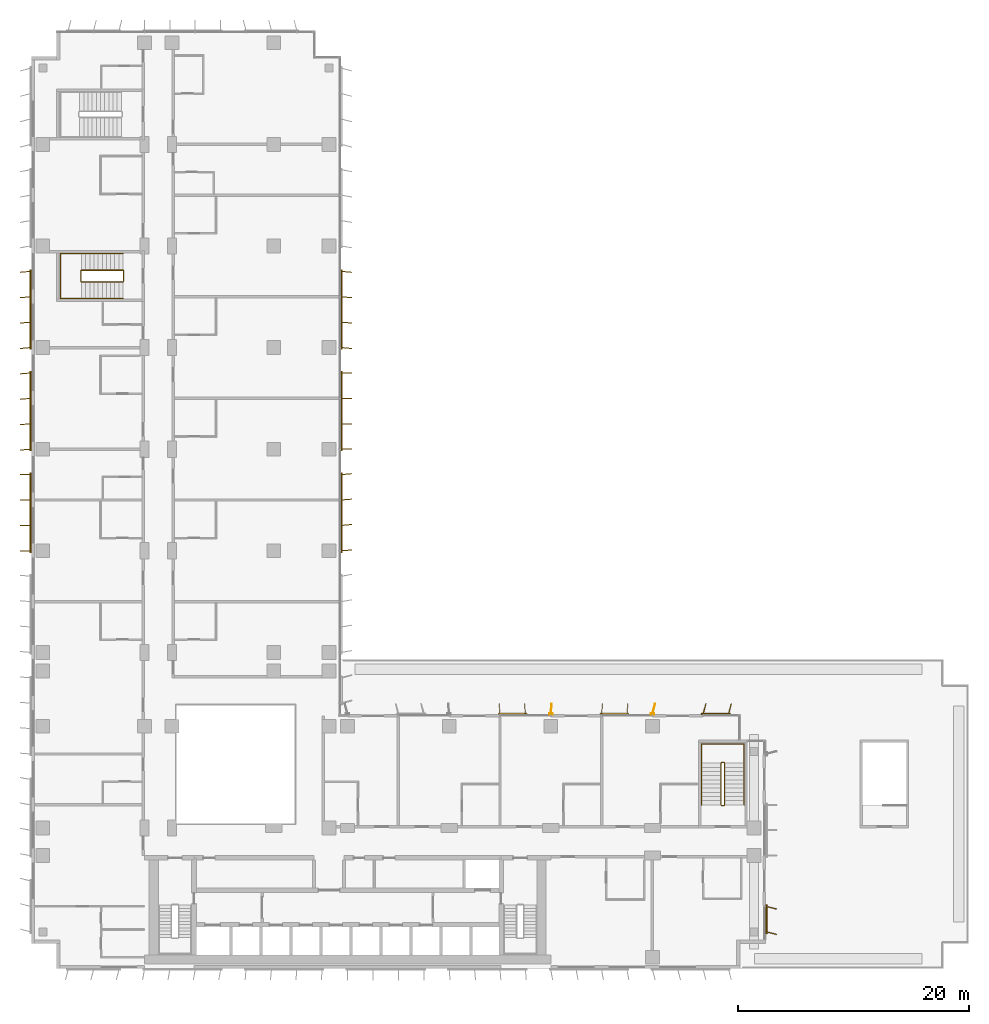
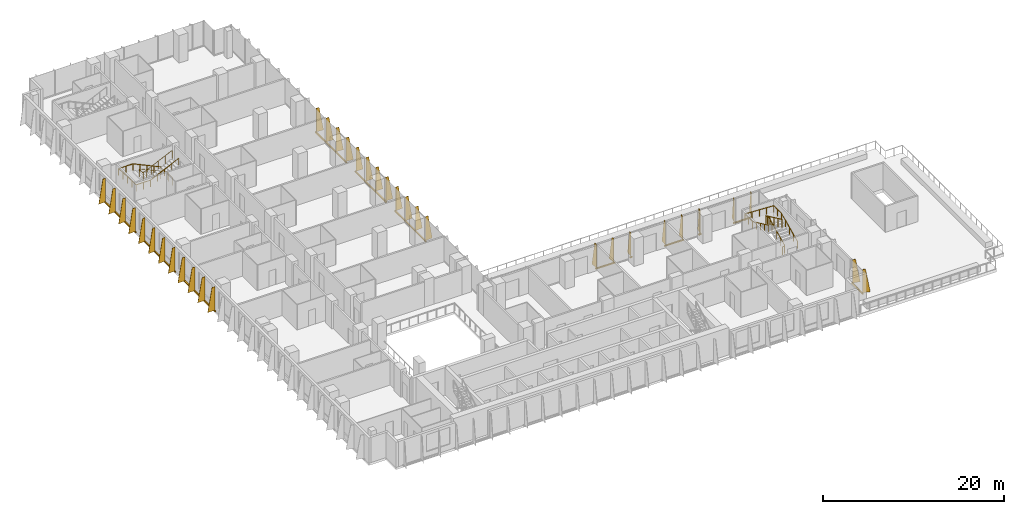
# One storey, part 25 of 27: 12 shading devices, 4 railings.
"""IFC4 building model written with IfcOpenShell, lengths in metres."""

from ifc_helpers import new_model, si_unit, direction, frame, origin, origin_2d, place, context, subcontext, project, spatial, polyline, rectangle, circle, outline, extrude, source, transform, mapped, material, layer, layer_set, type_object, element, save


model = new_model("IFC4")

# Units and contexts
model_context = context("Model", 3, precision=1e-05, world=origin(), true_north=direction((0.0, 1.0)))
body_context = subcontext(model_context, "Body", "Model", "MODEL_VIEW")
ifc_project = project(units=[si_unit("LENGTHUNIT", "METRE"), si_unit("AREAUNIT", "SQUARE_METRE"), si_unit("VOLUMEUNIT", "CUBIC_METRE"), si_unit("PLANEANGLEUNIT", "RADIAN"), si_unit("MASSUNIT", "GRAM", prefix="KILO")], contexts=[model_context])

# Site, building, storey
site_placement = place(None, origin())
site = spatial("IfcSite", under=ifc_project, at=site_placement, CompositionType="ELEMENT")
building_placement = place(site_placement, origin())
building = spatial("IfcBuilding", under=site, at=building_placement, Name="Kemantara Hotel Tower", CompositionType="ELEMENT")
storey_placement = place(building_placement, frame((0.0, 0.0, 83.39990234375)))
storey = spatial("IfcBuildingStorey", under=building, at=storey_placement, Name="L19", CompositionType="ELEMENT", Elevation=83.39990234375)

# Railings
ifc_material_1 = material(Name="Stainless steel balustrade", Category="steel")
railing_type_1 = type_object("IfcRailingType", Name="Stair guard 1100 mm", PredefinedType="GUARDRAIL", material=ifc_material_1)
railing_1_placement = place(storey_placement, frame((59.75, 14.199951171875, 3.7001953125)))
element("IfcRailing", 1, at=railing_1_placement, inside=storey, type_object=railing_type_1, Name="L19 ST3 stair guard 1", PredefinedType="GUARDRAIL", context=body_context, shape_type="SweptSolid", body=[
    extrude(circle(Radius=0.02392578125, at=origin_2d()), frame((0.0, 0.0, 1.076171875), z_axis=(0.0, 0.906005689286, -0.423265508849), x_axis=(-1.0, 0.0, 0.0)), (0.0, 0.0, 1.0), 3.9736328125),
    extrude(circle(Radius=0.02392578125, at=origin_2d()), frame((0.0, 3.60009765625, -0.60595703125), z_axis=(0.274243871929, 0.274243871929, -0.92172696468), x_axis=(-0.707106781187, 0.707106781187, 0.0)), (0.0, 0.0, 1.0), 0.1826171875),
    extrude(circle(Radius=0.02392578125, at=origin_2d()), frame((0.050048828125, 3.650146484375, -0.77392578125), z_axis=(1.0, 0.0, 0.0), x_axis=(0.0, 1.0, 0.0)), (0.0, 0.0, 1.0), 0.199951171875),
    extrude(circle(Radius=0.02392578125, at=origin_2d()), frame((0.25, 3.650146484375, -0.77392578125), z_axis=(0.707106781187, -0.707106781187, 0.0), x_axis=(0.707106781187, 0.707106781187, 0.0)), (0.0, 0.0, 1.0), 0.07080078125),
    extrude(circle(Radius=0.02392578125, at=origin_2d()), frame((0.300048828125, 3.60009765625, -0.77392578125), z_axis=(0.0, -0.906005689286, -0.423265508849), x_axis=(1.0, 0.0, 0.0)), (0.0, 0.0, 1.0), 3.9736328125),
    extrude(circle(Radius=0.02392578125, at=origin_2d()), frame((0.300048828125, 0.0, -2.4560546875), z_axis=(-0.274243871929, -0.274243871929, -0.92172696468), x_axis=(0.707106781187, -0.707106781187, 0.0)), (0.0, 0.0, 1.0), 0.1826171875),
    extrude(circle(Radius=0.02392578125, at=origin_2d()), frame((0.25, -0.050048828125, -2.6240234375), z_axis=(-1.0, 0.0, 0.0), x_axis=(0.0, -1.0, 0.0)), (0.0, 0.0, 1.0), 0.199951171875),
    extrude(circle(Radius=0.02099609375, at=origin_2d()), origin(), (0.0, 0.0, 1.0), 1.052001953125),
    extrude(circle(Radius=0.02099609375, at=origin_2d()), frame((0.0, 0.89990234375, -0.42041015625)), (0.0, 0.0, 1.0), 1.052001953125),
    extrude(circle(Radius=0.02099609375, at=origin_2d()), frame((0.0, 1.800048828125, -0.8408203125)), (0.0, 0.0, 1.0), 1.052001953125),
    extrude(circle(Radius=0.02099609375, at=origin_2d()), frame((0.0, 2.7001953125, -1.261474609375)), (0.0, 0.0, 1.0), 1.052001953125),
    extrude(circle(Radius=0.02099609375, at=origin_2d()), frame((0.0, 3.60009765625, -1.681884765625)), (0.0, 0.0, 1.0), 1.052001953125),
    extrude(circle(Radius=0.02099609375, at=origin_2d()), frame((0.050048828125, 3.650146484375, -1.85009765625)), (0.0, 0.0, 1.0), 1.052001953125),
    extrude(circle(Radius=0.02099609375, at=origin_2d()), frame((0.25, 3.650146484375, -1.85009765625)), (0.0, 0.0, 1.0), 1.052001953125),
    extrude(circle(Radius=0.02099609375, at=origin_2d()), frame((0.300048828125, 3.60009765625, -1.85009765625)), (0.0, 0.0, 1.0), 1.052001953125),
    extrude(circle(Radius=0.02099609375, at=origin_2d()), frame((0.300048828125, 2.7001953125, -2.2705078125)), (0.0, 0.0, 1.0), 1.052001953125),
    extrude(circle(Radius=0.02099609375, at=origin_2d()), frame((0.300048828125, 1.800048828125, -2.69091796875)), (0.0, 0.0, 1.0), 1.052001953125),
    extrude(circle(Radius=0.02099609375, at=origin_2d()), frame((0.300048828125, 0.89990234375, -3.111572265625)), (0.0, 0.0, 1.0), 1.052001953125),
    extrude(circle(Radius=0.02099609375, at=origin_2d()), frame((0.300048828125, 0.0, -3.531982421875)), (0.0, 0.0, 1.0), 1.052001953125),
    extrude(circle(Radius=0.02099609375, at=origin_2d()), frame((0.25, -0.050048828125, -3.7001953125)), (0.0, 0.0, 1.0), 1.052001953125),
    extrude(circle(Radius=0.02099609375, at=origin_2d()), frame((0.050048828125, -0.050048828125, -3.7001953125)), (0.0, 0.0, 1.0), 1.052001953125),
])
railing_2_placement = place(storey_placement, frame((7.949951171875, 59.5, 3.7001953125)))
element("IfcRailing", 2, at=railing_2_placement, inside=storey, type_object=railing_type_1, Name="L19 ST4 stair guard 1", PredefinedType="GUARDRAIL", context=body_context, shape_type="SweptSolid", body=[
    extrude(circle(Radius=0.02392578125, at=origin_2d()), frame((0.0, 0.0, 1.076171875), z_axis=(-0.905994681025, 0.0, -0.423289071386), x_axis=(0.0, -1.0, 0.0)), (0.0, 0.0, 1.0), 3.973388671875),
    extrude(circle(Radius=0.02392578125, at=origin_2d()), frame((-3.599853515625, 0.0, -0.60595703125), z_axis=(-0.274243871929, 0.274243871929, -0.92172696468), x_axis=(-0.707106781187, -0.707106781187, 0.0)), (0.0, 0.0, 1.0), 0.1826171875),
    extrude(circle(Radius=0.02392578125, at=origin_2d()), frame((-3.64990234375, 0.050048828125, -0.77392578125), z_axis=(0.0, 1.0, 0.0), x_axis=(-1.0, 0.0, 0.0)), (0.0, 0.0, 1.0), 0.89990234375),
    extrude(circle(Radius=0.02392578125, at=origin_2d()), frame((-3.64990234375, 0.949951171875, -0.77392578125), z_axis=(0.707106781187, 0.707106781187, 0.0), x_axis=(-0.707106781187, 0.707106781187, 0.0)), (0.0, 0.0, 1.0), 0.07080078125),
    extrude(circle(Radius=0.02392578125, at=origin_2d()), frame((-3.599853515625, 1.0, -0.77392578125), z_axis=(0.905994681025, 0.0, -0.423289071386), x_axis=(0.0, 1.0, 0.0)), (0.0, 0.0, 1.0), 3.973388671875),
    extrude(circle(Radius=0.02392578125, at=origin_2d()), frame((0.0, 1.0, -2.4560546875), z_axis=(0.274243871929, -0.274243871929, -0.92172696468), x_axis=(0.707106781187, 0.707106781187, 0.0)), (0.0, 0.0, 1.0), 0.1826171875),
    extrude(circle(Radius=0.02392578125, at=origin_2d()), frame((0.050048828125, 0.949951171875, -2.6240234375), z_axis=(0.0, -1.0, 0.0), x_axis=(1.0, 0.0, 0.0)), (0.0, 0.0, 1.0), 0.89990234375),
    extrude(circle(Radius=0.02099609375, at=origin_2d()), origin(), (0.0, 0.0, 1.0), 1.052001953125),
    extrude(circle(Radius=0.02099609375, at=origin_2d()), frame((-0.89990234375, 0.0, -0.42041015625)), (0.0, 0.0, 1.0), 1.052001953125),
    extrude(circle(Radius=0.02099609375, at=origin_2d()), frame((-1.7998046875, 0.0, -0.8408203125)), (0.0, 0.0, 1.0), 1.052001953125),
    extrude(circle(Radius=0.02099609375, at=origin_2d()), frame((-2.699951171875, 0.0, -1.261474609375)), (0.0, 0.0, 1.0), 1.052001953125),
    extrude(circle(Radius=0.02099609375, at=origin_2d()), frame((-3.599853515625, 0.0, -1.681884765625)), (0.0, 0.0, 1.0), 1.052001953125),
    extrude(circle(Radius=0.02099609375, at=origin_2d()), frame((-3.64990234375, 0.050048828125, -1.85009765625)), (0.0, 0.0, 1.0), 1.052001953125),
    extrude(circle(Radius=0.02099609375, at=origin_2d()), frame((-3.64990234375, 0.949951171875, -1.85009765625)), (0.0, 0.0, 1.0), 1.052001953125),
    extrude(circle(Radius=0.02099609375, at=origin_2d()), frame((-3.599853515625, 1.0, -1.85009765625)), (0.0, 0.0, 1.0), 1.052001953125),
    extrude(circle(Radius=0.02099609375, at=origin_2d()), frame((-2.699951171875, 1.0, -2.2705078125)), (0.0, 0.0, 1.0), 1.052001953125),
    extrude(circle(Radius=0.02099609375, at=origin_2d()), frame((-1.7998046875, 1.0, -2.69091796875)), (0.0, 0.0, 1.0), 1.052001953125),
    extrude(circle(Radius=0.02099609375, at=origin_2d()), frame((-0.89990234375, 1.0, -3.111572265625)), (0.0, 0.0, 1.0), 1.052001953125),
    extrude(circle(Radius=0.02099609375, at=origin_2d()), frame((0.0, 1.0, -3.531982421875)), (0.0, 0.0, 1.0), 1.052001953125),
    extrude(circle(Radius=0.02099609375, at=origin_2d()), frame((0.050048828125, 0.949951171875, -3.7001953125)), (0.0, 0.0, 1.0), 1.052001953125),
    extrude(circle(Radius=0.02099609375, at=origin_2d()), frame((0.050048828125, 0.050048828125, -3.7001953125)), (0.0, 0.0, 1.0), 1.052001953125),
])
railing_type_2 = type_object("IfcRailingType", Name="Stair handrail 900 mm", PredefinedType="HANDRAIL", material=ifc_material_1)
railing_3_placement = place(storey_placement, frame((61.75, 14.199951171875, 0.168212890625)))
element("IfcRailing", 3, at=railing_3_placement, inside=storey, type_object=railing_type_2, Name="L19 ST3 stair handrail 1", PredefinedType="HANDRAIL", context=body_context, shape_type="SweptSolid", body=[
    extrude(circle(Radius=0.02392578125, at=origin_2d()), frame((0.0, 0.0, 0.8759765625), z_axis=(0.0, 0.906005689286, 0.423265508849), x_axis=(-1.0, 0.0, 0.0)), (0.0, 0.0, 1.0), 3.9736328125),
    extrude(circle(Radius=0.02392578125, at=origin_2d()), frame((0.0, 3.60009765625, 2.5576171875), z_axis=(0.0, 1.0, 0.0), x_axis=(-1.0, 0.0, 0.0)), (0.0, 0.0, 1.0), 1.679931640625),
    extrude(circle(Radius=0.02392578125, at=origin_2d()), frame((0.0, 5.280029296875, 2.5576171875), z_axis=(-0.998968132438, 0.0, 0.045416631029), x_axis=(0.0, -1.0, 0.0)), (0.0, 0.0, 1.0), 3.703857421875),
    extrude(circle(Radius=0.02392578125, at=origin_2d()), frame((-3.699951171875, 5.280029296875, 2.72607421875), z_axis=(0.0, -1.0, 0.0), x_axis=(1.0, 0.0, 0.0)), (0.0, 0.0, 1.0), 1.679931640625),
    extrude(circle(Radius=0.02392578125, at=origin_2d()), frame((-3.699951171875, 3.60009765625, 2.72607421875), z_axis=(0.0, -0.906005689286, 0.423265508849), x_axis=(1.0, 0.0, 0.0)), (0.0, 0.0, 1.0), 3.9736328125),
    extrude(circle(Radius=0.02099609375, at=origin_2d()), origin(), (0.0, 0.0, 1.0), 0.851806640625),
    extrude(circle(Radius=0.02099609375, at=origin_2d()), frame((0.0, 0.89990234375, 0.42041015625)), (0.0, 0.0, 1.0), 0.851806640625),
    extrude(circle(Radius=0.02099609375, at=origin_2d()), frame((0.0, 1.800048828125, 0.8408203125)), (0.0, 0.0, 1.0), 0.851806640625),
    extrude(circle(Radius=0.02099609375, at=origin_2d()), frame((0.0, 2.7001953125, 1.261474609375)), (0.0, 0.0, 1.0), 0.851806640625),
    extrude(circle(Radius=0.02099609375, at=origin_2d()), frame((0.0, 3.60009765625, 1.681884765625)), (0.0, 0.0, 1.0), 0.851806640625),
    extrude(circle(Radius=0.02099609375, at=origin_2d()), frame((0.0, 4.43994140625, 1.681884765625)), (0.0, 0.0, 1.0), 0.851806640625),
    extrude(circle(Radius=0.02099609375, at=origin_2d()), frame((0.0, 5.280029296875, 1.681884765625)), (0.0, 0.0, 1.0), 0.851806640625),
    extrude(circle(Radius=0.02099609375, at=origin_2d()), frame((-0.925048828125, 5.280029296875, 1.723876953125)), (0.0, 0.0, 1.0), 0.851806640625),
    extrude(circle(Radius=0.02099609375, at=origin_2d()), frame((-1.85009765625, 5.280029296875, 1.76611328125)), (0.0, 0.0, 1.0), 0.851806640625),
    extrude(circle(Radius=0.02099609375, at=origin_2d()), frame((-2.77490234375, 5.280029296875, 1.80810546875)), (0.0, 0.0, 1.0), 0.851806640625),
    extrude(circle(Radius=0.02099609375, at=origin_2d()), frame((-3.699951171875, 5.280029296875, 1.85009765625)), (0.0, 0.0, 1.0), 0.851806640625),
    extrude(circle(Radius=0.02099609375, at=origin_2d()), frame((-3.699951171875, 4.43994140625, 1.85009765625)), (0.0, 0.0, 1.0), 0.851806640625),
    extrude(circle(Radius=0.02099609375, at=origin_2d()), frame((-3.699951171875, 3.60009765625, 1.85009765625)), (0.0, 0.0, 1.0), 0.851806640625),
    extrude(circle(Radius=0.02099609375, at=origin_2d()), frame((-3.699951171875, 2.7001953125, 2.2705078125)), (0.0, 0.0, 1.0), 0.851806640625),
    extrude(circle(Radius=0.02099609375, at=origin_2d()), frame((-3.699951171875, 1.800048828125, 2.69091796875)), (0.0, 0.0, 1.0), 0.851806640625),
    extrude(circle(Radius=0.02099609375, at=origin_2d()), frame((-3.699951171875, 0.89990234375, 3.111572265625)), (0.0, 0.0, 1.0), 0.851806640625),
    extrude(circle(Radius=0.02099609375, at=origin_2d()), frame((-3.699951171875, 0.0, 3.531982421875)), (0.0, 0.0, 1.0), 0.851806640625),
])
railing_4_placement = place(storey_placement, frame((7.949951171875, 61.949951171875, 0.168212890625)))
element("IfcRailing", 4, at=railing_4_placement, inside=storey, type_object=railing_type_2, Name="L19 ST4 stair handrail 1", PredefinedType="HANDRAIL", context=body_context, shape_type="SweptSolid", body=[
    extrude(circle(Radius=0.02392578125, at=origin_2d()), frame((0.0, 0.0, 0.8759765625), z_axis=(-0.905994681025, 0.0, 0.423289071386), x_axis=(0.0, -1.0, 0.0)), (0.0, 0.0, 1.0), 3.973388671875),
    extrude(circle(Radius=0.02392578125, at=origin_2d()), frame((-3.599853515625, 0.0, 2.5576171875), z_axis=(-1.0, 0.0, 0.0), x_axis=(0.0, -1.0, 0.0)), (0.0, 0.0, 1.0), 1.830078125),
    extrude(circle(Radius=0.02392578125, at=origin_2d()), frame((-5.429931640625, 0.0, 2.5576171875), z_axis=(0.0, -0.999071085748, 0.043092523981), x_axis=(1.0, 0.0, 0.0)), (0.0, 0.0, 1.0), 3.903564453125),
    extrude(circle(Radius=0.02392578125, at=origin_2d()), frame((-5.429931640625, -3.89990234375, 2.72607421875), z_axis=(1.0, 0.0, 0.0), x_axis=(0.0, 1.0, 0.0)), (0.0, 0.0, 1.0), 1.830078125),
    extrude(circle(Radius=0.02392578125, at=origin_2d()), frame((-3.599853515625, -3.89990234375, 2.72607421875), z_axis=(0.905994681025, 0.0, 0.423289071386), x_axis=(0.0, 1.0, 0.0)), (0.0, 0.0, 1.0), 3.973388671875),
    extrude(circle(Radius=0.02099609375, at=origin_2d()), origin(), (0.0, 0.0, 1.0), 0.851806640625),
    extrude(circle(Radius=0.02099609375, at=origin_2d()), frame((-0.89990234375, 0.0, 0.42041015625)), (0.0, 0.0, 1.0), 0.851806640625),
    extrude(circle(Radius=0.02099609375, at=origin_2d()), frame((-1.7998046875, 0.0, 0.8408203125)), (0.0, 0.0, 1.0), 0.851806640625),
    extrude(circle(Radius=0.02099609375, at=origin_2d()), frame((-2.699951171875, 0.0, 1.261474609375)), (0.0, 0.0, 1.0), 0.851806640625),
    extrude(circle(Radius=0.02099609375, at=origin_2d()), frame((-3.599853515625, 0.0, 1.681884765625)), (0.0, 0.0, 1.0), 0.851806640625),
    extrude(circle(Radius=0.02099609375, at=origin_2d()), frame((-4.514892578125, 0.0, 1.681884765625)), (0.0, 0.0, 1.0), 0.851806640625),
    extrude(circle(Radius=0.02099609375, at=origin_2d()), frame((-5.429931640625, 0.0, 1.681884765625)), (0.0, 0.0, 1.0), 0.851806640625),
    extrude(circle(Radius=0.02099609375, at=origin_2d()), frame((-5.429931640625, -0.97509765625, 1.723876953125)), (0.0, 0.0, 1.0), 0.851806640625),
    extrude(circle(Radius=0.02099609375, at=origin_2d()), frame((-5.429931640625, -1.949951171875, 1.76611328125)), (0.0, 0.0, 1.0), 0.851806640625),
    extrude(circle(Radius=0.02099609375, at=origin_2d()), frame((-5.429931640625, -2.9248046875, 1.80810546875)), (0.0, 0.0, 1.0), 0.851806640625),
    extrude(circle(Radius=0.02099609375, at=origin_2d()), frame((-5.429931640625, -3.89990234375, 1.85009765625)), (0.0, 0.0, 1.0), 0.851806640625),
    extrude(circle(Radius=0.02099609375, at=origin_2d()), frame((-4.514892578125, -3.89990234375, 1.85009765625)), (0.0, 0.0, 1.0), 0.851806640625),
    extrude(circle(Radius=0.02099609375, at=origin_2d()), frame((-3.599853515625, -3.89990234375, 1.85009765625)), (0.0, 0.0, 1.0), 0.851806640625),
    extrude(circle(Radius=0.02099609375, at=origin_2d()), frame((-2.699951171875, -3.89990234375, 2.2705078125)), (0.0, 0.0, 1.0), 0.851806640625),
    extrude(circle(Radius=0.02099609375, at=origin_2d()), frame((-1.7998046875, -3.89990234375, 2.69091796875)), (0.0, 0.0, 1.0), 0.851806640625),
    extrude(circle(Radius=0.02099609375, at=origin_2d()), frame((-0.89990234375, -3.89990234375, 3.111572265625)), (0.0, 0.0, 1.0), 0.851806640625),
    extrude(circle(Radius=0.02099609375, at=origin_2d()), frame((0.0, -3.89990234375, 3.531982421875)), (0.0, 0.0, 1.0), 0.851806640625),
])

# Shading devices
ifc_material_2 = material(Name="Perforated aluminium plate 4 mm bronze anodised", Category="aluminium")
ifc_layer_1 = layer(ifc_material_2, 0.0400390625)
ifc_layer_set_1 = layer_set([ifc_layer_1], Name="Perforated aluminium plate 4 mm bronze anodised")
shading_device_type_1 = type_object("IfcShadingDeviceType", Name="SCREEN FIN CASSETTE, 4 BLADES AT -5.0 DEG, 3200 HIGH", PredefinedType="USERDEFINED", material=ifc_layer_set_1)
shared_shape_1 = source(origin(), body_context, "Body", "SweptSolid", [
    extrude(rectangle(XDim=6.89990234375, YDim=0.14990234375, at=origin_2d()), frame((3.300048828125, -0.074951171875, -0.14990234375), z_axis=(0.0, 0.0, 1.0), x_axis=(1.0, 0.0, 0.0)), (0.0, 0.0, 1.0), 0.14990234375),
    extrude(outline(polyline([(0.0, 0.0), (0.89990234375, 0.0), (0.35009765625, 3.199951171875), (0.0, 3.199951171875), (0.0, 0.0)])), frame((0.02001953125, -0.07666015625, 0.0), z_axis=(-0.996376129781, 0.085056498884, 0.0), x_axis=(-0.085056498884, -0.996376129781, 0.0)), (0.0, 0.0, 1.0), 0.040283203125),
    extrude(outline(polyline([(0.0, 0.0), (0.89990234375, 0.0), (0.35009765625, 3.199951171875), (0.0, 3.199951171875), (0.0, 0.0)])), frame((2.219970703125, -0.07666015625, 0.0), z_axis=(-0.996331773833, 0.085574508182, 0.0), x_axis=(-0.085574508182, -0.996331773833, 0.0)), (0.0, 0.0, 1.0), 0.0400390625),
    extrude(outline(polyline([(0.0, 0.0), (0.89990234375, 0.0), (0.35009765625, 3.199951171875), (0.0, 3.199951171875), (0.0, 0.0)])), frame((4.419921875, -0.07666015625, 0.0), z_axis=(-0.996331773833, 0.085574508182, 0.0), x_axis=(-0.085574508182, -0.996331773833, 0.0)), (0.0, 0.0, 1.0), 0.0400390625),
    extrude(outline(polyline([(0.0, 0.0), (0.89990234375, 0.0), (0.35009765625, 3.199951171875), (0.0, 3.199951171875), (0.0, 0.0)])), frame((6.619873046875, -0.07666015625, 0.0), z_axis=(-0.996331773833, 0.085574508182, 0.0), x_axis=(-0.085574508182, -0.996331773833, 0.0)), (0.0, 0.0, 1.0), 0.0400390625),
])
shading_device_1_placement = place(storey_placement, frame((26.800048828125, 53.800048828125, 0.10009765625), z_axis=(0.0, 0.0, 1.0), x_axis=(0.0, 1.0, 0.0)))
element("IfcShadingDevice", 5, at=shading_device_1_placement, inside=storey, type_object=shading_device_type_1, Name="SCREEN FIN CASSETTE L19 T2-R14-5", ObjectType="SCREEN FIN", PredefinedType="USERDEFINED", context=body_context, shape_type="MappedRepresentation", body=[
    mapped(shared_shape_1, transform((0.0, 0.0, 0.0))),
])
ifc_layer_2 = layer(ifc_material_2, 0.0400390625)
ifc_layer_set_2 = layer_set([ifc_layer_2], Name="Perforated aluminium plate 4 mm bronze anodised")
shading_device_type_2 = type_object("IfcShadingDeviceType", Name="SCREEN FIN CASSETTE, 4 BLADES AT +0.0 DEG, 3200 HIGH", PredefinedType="USERDEFINED", material=ifc_layer_set_2)
shared_shape_2 = source(origin(), body_context, "Body", "SweptSolid", [
    extrude(rectangle(XDim=6.89990234375, YDim=0.14990234375, at=origin_2d()), frame((3.300048828125, -0.074951171875, -0.14990234375), z_axis=(0.0, 0.0, 1.0), x_axis=(1.0, 0.0, 0.0)), (0.0, 0.0, 1.0), 0.14990234375),
    extrude(outline(polyline([(0.0, 0.0), (0.89990234375, 0.0), (0.35009765625, 3.199951171875), (0.0, 3.199951171875), (0.0, 0.0)])), frame((0.02001953125, -0.074951171875, 0.0), z_axis=(-1.0, 0.0, 0.0), x_axis=(0.0, -1.0, 0.0)), (0.0, 0.0, 1.0), 0.0400390625),
    extrude(outline(polyline([(0.0, 0.0), (0.89990234375, 0.0), (0.35009765625, 3.199951171875), (0.0, 3.199951171875), (0.0, 0.0)])), frame((2.219970703125, -0.074951171875, 0.0), z_axis=(-1.0, 0.0, 0.0), x_axis=(0.0, -1.0, 0.0)), (0.0, 0.0, 1.0), 0.0400390625),
    extrude(outline(polyline([(0.0, 0.0), (0.89990234375, 0.0), (0.35009765625, 3.199951171875), (0.0, 3.199951171875), (0.0, 0.0)])), frame((4.419921875, -0.074951171875, 0.0), z_axis=(-1.0, 0.0, 0.0), x_axis=(0.0, -1.0, 0.0)), (0.0, 0.0, 1.0), 0.0400390625),
    extrude(outline(polyline([(0.0, 0.0), (0.89990234375, 0.0), (0.35009765625, 3.199951171875), (0.0, 3.199951171875), (0.0, 0.0)])), frame((6.6201171875, -0.074951171875, 0.0), z_axis=(-1.0, 0.0, 0.0), x_axis=(0.0, -1.0, 0.0)), (0.0, 0.0, 1.0), 0.0400390625),
])
for number, where, z_axis, x_axis, name in (
    (6, (0.0, 42.800048828125, 0.10009765625), (0.0, 0.0, 1.0), (0.0, -1.0, 0.0), "SCREEN FIN CASSETTE L19 T2-R04-5"),
    (7, (26.800048828125, 45.0, 0.10009765625), (0.0, 0.0, 1.0), (0.0, 1.0, 0.0), "SCREEN FIN CASSETTE L19 T2-R14-4"),
):
    element("IfcShadingDevice", number, at=place(storey_placement, frame(where, z_axis=z_axis, x_axis=x_axis)), inside=storey, type_object=shading_device_type_2, Name=name, ObjectType="SCREEN FIN", PredefinedType="USERDEFINED", context=body_context, shape_type="MappedRepresentation", body=[
        mapped(shared_shape_2, transform((0.0, 0.0, 0.0))),
    ])
ifc_layer_3 = layer(ifc_material_2, 0.0400390625)
ifc_layer_set_3 = layer_set([ifc_layer_3], Name="Perforated aluminium plate 4 mm bronze anodised")
shading_device_type_3 = type_object("IfcShadingDeviceType", Name="SCREEN FIN CASSETTE, 4 BLADES AT +5.0 DEG, 3200 HIGH", PredefinedType="USERDEFINED", material=ifc_layer_set_3)
shared_shape_3 = source(origin(), body_context, "Body", "SweptSolid", [
    extrude(rectangle(XDim=6.89990234375, YDim=0.14990234375, at=origin_2d()), frame((3.300048828125, -0.074951171875, -0.14990234375), z_axis=(0.0, 0.0, 1.0), x_axis=(1.0, 0.0, 0.0)), (0.0, 0.0, 1.0), 0.14990234375),
    extrude(outline(polyline([(0.0, 0.0), (0.89990234375, 0.0), (0.35009765625, 3.199951171875), (0.0, 3.199951171875), (0.0, 0.0)])), frame((0.02001953125, -0.0732421875, 0.0), z_axis=(-0.996376129781, -0.085056498884, 0.0), x_axis=(0.085056498884, -0.996376129781, 0.0)), (0.0, 0.0, 1.0), 0.040283203125),
    extrude(outline(polyline([(0.0, 0.0), (0.89990234375, 0.0), (0.35009765625, 3.199951171875), (0.0, 3.199951171875), (0.0, 0.0)])), frame((2.219970703125, -0.0732421875, 0.0), z_axis=(-0.996331773833, -0.085574508182, 0.0), x_axis=(0.085574508182, -0.996331773833, 0.0)), (0.0, 0.0, 1.0), 0.0400390625),
    extrude(outline(polyline([(0.0, 0.0), (0.89990234375, 0.0), (0.35009765625, 3.199951171875), (0.0, 3.199951171875), (0.0, 0.0)])), frame((4.419921875, -0.0732421875, 0.0), z_axis=(-0.996331773833, -0.085574508182, 0.0), x_axis=(0.085574508182, -0.996331773833, 0.0)), (0.0, 0.0, 1.0), 0.0400390625),
    extrude(outline(polyline([(0.0, 0.0), (0.89990234375, 0.0), (0.35009765625, 3.199951171875), (0.0, 3.199951171875), (0.0, 0.0)])), frame((6.619873046875, -0.0732421875, 0.0), z_axis=(-0.996331773833, -0.085574508182, 0.0), x_axis=(0.085574508182, -0.996331773833, 0.0)), (0.0, 0.0, 1.0), 0.0400390625),
])
for number, where, z_axis, x_axis, name in (
    (8, (0.0, 60.39990234375, 0.10009765625), (0.0, 0.0, 1.0), (0.0, -1.0, 0.0), "SCREEN FIN CASSETTE L19 T2-R04-3"),
    (9, (0.0, 51.60009765625, 0.10009765625), (0.0, 0.0, 1.0), (0.0, -1.0, 0.0), "SCREEN FIN CASSETTE L19 T2-R04-4"),
    (10, (26.800048828125, 36.199951171875, 0.10009765625), (0.0, 0.0, 1.0), (0.0, 1.0, 0.0), "SCREEN FIN CASSETTE L19 T2-R14-3"),
):
    element("IfcShadingDevice", number, at=place(storey_placement, frame(where, z_axis=z_axis, x_axis=x_axis)), inside=storey, type_object=shading_device_type_3, Name=name, ObjectType="SCREEN FIN", PredefinedType="USERDEFINED", context=body_context, shape_type="MappedRepresentation", body=[
        mapped(shared_shape_3, transform((0.0, 0.0, 0.0))),
    ])
ifc_layer_4 = layer(ifc_material_2, 0.0400390625)
ifc_layer_set_4 = layer_set([ifc_layer_4], Name="Perforated aluminium plate 4 mm bronze anodised")
shading_device_type_4 = type_object("IfcShadingDeviceType", Name="SCREEN FIN CASSETTE, 2 BLADES AT +5.0 DEG, 3150 HIGH", PredefinedType="USERDEFINED", material=ifc_layer_set_4)
shared_shape_4 = source(origin(), body_context, "Body", "SweptSolid", [
    extrude(rectangle(XDim=2.5, YDim=0.14990234375, at=origin_2d()), frame((1.10009765625, -0.074951171875, -0.14990234375), z_axis=(0.0, 0.0, 1.0), x_axis=(1.0, 0.0, 0.0)), (0.0, 0.0, 1.0), 0.14990234375),
    extrude(outline(polyline([(0.0, 0.0), (0.89990234375, 0.0), (0.35009765625, 3.14990234375), (0.0, 3.14990234375), (0.0, 0.0)])), frame((0.02001953125, -0.0732421875, 0.0), z_axis=(-0.996376129781, -0.085056498884, 0.0), x_axis=(0.085056498884, -0.996376129781, 0.0)), (0.0, 0.0, 1.0), 0.040283203125),
    extrude(outline(polyline([(0.0, 0.0), (0.89990234375, 0.0), (0.35009765625, 3.14990234375), (0.0, 3.14990234375), (0.0, 0.0)])), frame((2.219970703125, -0.0732421875, 0.0), z_axis=(-0.996331773833, -0.085574508182, 0.0), x_axis=(0.085574508182, -0.996331773833, 0.0)), (0.0, 0.0, 1.0), 0.0400390625),
])
shading_device_2_placement = place(storey_placement, frame((42.800048828125, 22.0, 0.150146484375), z_axis=(0.0, 0.0, 1.0), x_axis=(-1.0, 0.0, 0.0)))
element("IfcShadingDevice", 11, at=shading_device_2_placement, inside=storey, type_object=shading_device_type_4, Name="SCREEN FIN CASSETTE L19 T2-R13-5", ObjectType="SCREEN FIN", PredefinedType="USERDEFINED", context=body_context, shape_type="MappedRepresentation", body=[
    mapped(shared_shape_4, transform((0.0, 0.0, 0.0))),
])
ifc_layer_5 = layer(ifc_material_2, 0.0400390625)
ifc_layer_set_5 = layer_set([ifc_layer_5], Name="Perforated aluminium plate 4 mm bronze anodised")
shading_device_type_5 = type_object("IfcShadingDeviceType", Name="SCREEN FIN CASSETTE, 1 BLADE AT -5.0 DEG, 3150 HIGH", PredefinedType="USERDEFINED", material=ifc_layer_set_5)
shared_shape_5 = source(origin(), body_context, "Body", "SweptSolid", [
    extrude(rectangle(XDim=0.300048828125, YDim=0.14990234375, at=origin_2d()), frame((0.0, -0.074951171875, -0.14990234375), z_axis=(0.0, 0.0, 1.0), x_axis=(1.0, 0.0, 0.0)), (0.0, 0.0, 1.0), 0.14990234375),
    extrude(outline(polyline([(0.0, 0.0), (0.89990234375, 0.0), (0.35009765625, 3.14990234375), (0.0, 3.14990234375), (0.0, 0.0)])), frame((0.02001953125, -0.07666015625, 0.0), z_axis=(-0.996376129781, 0.085056498884, 0.0), x_axis=(-0.085056498884, -0.996376129781, 0.0)), (0.0, 0.0, 1.0), 0.040283203125),
])
shading_device_3_placement = place(storey_placement, frame((45.0, 22.0, 0.150146484375), z_axis=(0.0, 0.0, 1.0), x_axis=(-1.0, 0.0, 0.0)))
element("IfcShadingDevice", 12, at=shading_device_3_placement, inside=storey, type_object=shading_device_type_5, Name="SCREEN FIN CASSETTE L19 T2-R13-4", ObjectType="SCREEN FIN", PredefinedType="USERDEFINED", context=body_context, shape_type="MappedRepresentation", body=[
    mapped(shared_shape_5, transform((0.0, 0.0, 0.0))),
])
ifc_layer_6 = layer(ifc_material_2, 0.0400390625)
ifc_layer_set_6 = layer_set([ifc_layer_6], Name="Perforated aluminium plate 4 mm bronze anodised")
shading_device_type_6 = type_object("IfcShadingDeviceType", Name="SCREEN FIN CASSETTE, 2 BLADES AT -15.0 DEG, 3150 HIGH", PredefinedType="USERDEFINED", material=ifc_layer_set_6)
shared_shape_6 = source(origin(), body_context, "Body", "SweptSolid", [
    extrude(rectangle(XDim=2.5, YDim=0.14990234375, at=origin_2d()), frame((1.10009765625, -0.074951171875, -0.14990234375), z_axis=(0.0, 0.0, 1.0), x_axis=(1.0, 0.0, 0.0)), (0.0, 0.0, 1.0), 0.14990234375),
    extrude(outline(polyline([(0.0, 0.0), (0.89990234375, 0.0), (0.35009765625, 3.14990234375), (0.0, 3.14990234375), (0.0, 0.0)])), frame((0.019287109375, -0.080078125, 0.0), z_axis=(-0.966437683387, 0.256901156343, 0.0), x_axis=(-0.256901156343, -0.966437683387, 0.0)), (0.0, 0.0, 1.0), 0.039794921875),
    extrude(outline(polyline([(0.0, 0.0), (0.89990234375, 0.0), (0.35009765625, 3.14990234375), (0.0, 3.14990234375), (0.0, 0.0)])), frame((2.21923828125, -0.080078125, 0.0), z_axis=(-0.966437683387, 0.256901156343, 0.0), x_axis=(-0.256901156343, -0.966437683387, 0.0)), (0.0, 0.0, 1.0), 0.039794921875),
])
for number, where, z_axis, x_axis, name in (
    (13, (63.60009765625, 3.199951171875, 0.150146484375), (0.0, 0.0, 1.0), (0.0, 1.0, 0.0), "SCREEN FIN CASSETTE L19 T2-R10-1"),
    (14, (60.39990234375, 22.0, 0.150146484375), (0.0, 0.0, 1.0), (-1.0, 0.0, 0.0), "SCREEN FIN CASSETTE L19 T2-R13-1"),
):
    element("IfcShadingDevice", number, at=place(storey_placement, frame(where, z_axis=z_axis, x_axis=x_axis)), inside=storey, type_object=shading_device_type_6, Name=name, ObjectType="SCREEN FIN", PredefinedType="USERDEFINED", context=body_context, shape_type="MappedRepresentation", body=[
        mapped(shared_shape_6, transform((0.0, 0.0, 0.0))),
    ])
ifc_layer_7 = layer(ifc_material_2, 0.0400390625)
ifc_layer_set_7 = layer_set([ifc_layer_7], Name="Perforated aluminium plate 4 mm bronze anodised")
shading_device_type_7 = type_object("IfcShadingDeviceType", Name="SCREEN FIN CASSETTE, 1 BLADE AT -15.0 DEG, 3150 HIGH", PredefinedType="USERDEFINED", material=ifc_layer_set_7)
shared_shape_7 = source(origin(), body_context, "Body", "SweptSolid", [
    extrude(rectangle(XDim=0.300048828125, YDim=0.14990234375, at=origin_2d()), frame((0.0, -0.074951171875, -0.14990234375), z_axis=(0.0, 0.0, 1.0), x_axis=(1.0, 0.0, 0.0)), (0.0, 0.0, 1.0), 0.14990234375),
    extrude(outline(polyline([(0.0, 0.0), (0.89990234375, 0.0), (0.35009765625, 3.14990234375), (0.0, 3.14990234375), (0.0, 0.0)])), frame((0.019287109375, -0.080078125, 0.0), z_axis=(-0.966437683387, 0.256901156343, 0.0), x_axis=(-0.256901156343, -0.966437683387, 0.0)), (0.0, 0.0, 1.0), 0.039794921875),
])
shading_device_4_placement = place(storey_placement, frame((53.800048828125, 22.0, 0.150146484375), z_axis=(0.0, 0.0, 1.0), x_axis=(-1.0, 0.0, 0.0)))
element("IfcShadingDevice", 15, at=shading_device_4_placement, inside=storey, type_object=shading_device_type_7, Name="SCREEN FIN CASSETTE L19 T2-R13-2", ObjectType="SCREEN FIN", PredefinedType="USERDEFINED", context=body_context, shape_type="MappedRepresentation", body=[
    mapped(shared_shape_7, transform((0.0, 0.0, 0.0))),
])
ifc_layer_8 = layer(ifc_material_2, 0.0400390625)
ifc_layer_set_8 = layer_set([ifc_layer_8], Name="Perforated aluminium plate 4 mm bronze anodised")
shading_device_type_8 = type_object("IfcShadingDeviceType", Name="SCREEN FIN CASSETTE, 2 BLADES AT -5.0 DEG, 3150 HIGH", PredefinedType="USERDEFINED", material=ifc_layer_set_8)
shared_shape_8 = source(origin(), body_context, "Body", "SweptSolid", [
    extrude(rectangle(XDim=2.5, YDim=0.14990234375, at=origin_2d()), frame((1.10009765625, -0.074951171875, -0.14990234375), z_axis=(0.0, 0.0, 1.0), x_axis=(1.0, 0.0, 0.0)), (0.0, 0.0, 1.0), 0.14990234375),
    extrude(outline(polyline([(0.0, 0.0), (0.89990234375, 0.0), (0.35009765625, 3.14990234375), (0.0, 3.14990234375), (0.0, 0.0)])), frame((0.02001953125, -0.07666015625, 0.0), z_axis=(-0.996376129781, 0.085056498884, 0.0), x_axis=(-0.085056498884, -0.996376129781, 0.0)), (0.0, 0.0, 1.0), 0.040283203125),
    extrude(outline(polyline([(0.0, 0.0), (0.89990234375, 0.0), (0.35009765625, 3.14990234375), (0.0, 3.14990234375), (0.0, 0.0)])), frame((2.219970703125, -0.07666015625, 0.0), z_axis=(-0.996331773833, 0.085574508182, 0.0), x_axis=(-0.085574508182, -0.996331773833, 0.0)), (0.0, 0.0, 1.0), 0.0400390625),
])
shading_device_5_placement = place(storey_placement, frame((51.60009765625, 22.0, 0.150146484375), z_axis=(0.0, 0.0, 1.0), x_axis=(-1.0, 0.0, 0.0)))
element("IfcShadingDevice", 16, at=shading_device_5_placement, inside=storey, type_object=shading_device_type_8, Name="SCREEN FIN CASSETTE L19 T2-R13-3", ObjectType="SCREEN FIN", PredefinedType="USERDEFINED", context=body_context, shape_type="MappedRepresentation", body=[
    mapped(shared_shape_8, transform((0.0, 0.0, 0.0))),
])

save(model, "model.ifc")
